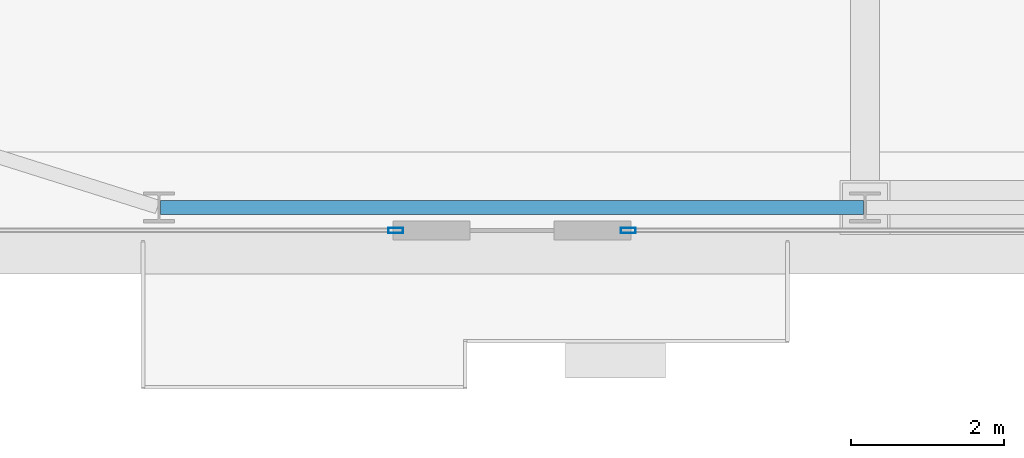
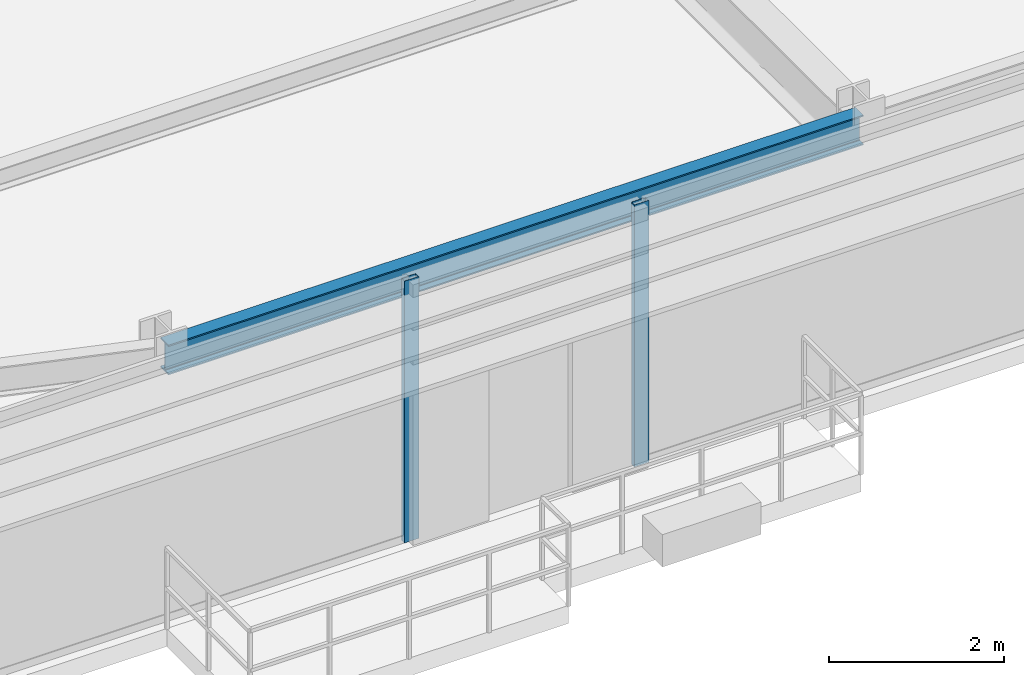
# One storey, part 5 of 35: 2 members, 1 beam, 2 elements without a shape of their own.
"""IFC4 building model written with IfcOpenShell, lengths in metres."""

from ifc_helpers import new_model, si_unit, direction, frame, origin, origin_2d, place, context, subcontext, project, spatial, hollow_rectangle, i_section, extrude, source, transform, mapped, material, layer, layer_set, material_profile, profile_set, type_object, type_shapes, element, aggregate, save


model = new_model("IFC4")

# Units and contexts
model_context = context("Model", 3, precision=1e-05, world=origin(), true_north=direction((0.0, 1.0)))
body_context = subcontext(model_context, "Body", "Model", "MODEL_VIEW")
ifc_project = project(units=[si_unit("LENGTHUNIT", "METRE"), si_unit("AREAUNIT", "SQUARE_METRE"), si_unit("VOLUMEUNIT", "CUBIC_METRE"), si_unit("PLANEANGLEUNIT", "RADIAN"), si_unit("MASSUNIT", "GRAM", prefix="KILO")], contexts=[model_context])

# Site, building, storey
site_placement = place(None, origin())
site = spatial("IfcSite", under=ifc_project, at=site_placement, CompositionType="ELEMENT")
building_placement = place(site_placement, origin())
building = spatial("IfcBuilding", under=site, at=building_placement, Name="Varnel Quay Broadcast Tower", CompositionType="ELEMENT")
storey_placement = place(building_placement, frame((0.0, 0.0, 66.60009765625)))
storey = spatial("IfcBuildingStorey", under=building, at=storey_placement, Name="L15", CompositionType="ELEMENT", Elevation=66.60009765625)

# Beam
ifc_material_1 = material(Name="Structural Steel CSA G40.21 350W", Category="steel")
ifc_material_profile_1 = material_profile(ifc_material_1, i_section(OverallWidth=0.180908203125, OverallDepth=0.4169921875, WebThickness=0.010986328125, FlangeThickness=0.018310546875, FilletRadius=0.011962890625, at=origin_2d()), Name="W410X85")
ifc_profile_set_1 = profile_set([ifc_material_profile_1], Name="Structural Steel CSA G40.21 350W")
beam_type = type_object("IfcBeamType", Name="Beam_W410X85", PredefinedType="SPANDREL", material=ifc_profile_set_1)
shared_shape_1 = source(origin(), body_context, "Body", "SweptSolid", [
    extrude(i_section(OverallWidth=0.180908203125, OverallDepth=0.4169921875, WebThickness=0.010986328125, FlangeThickness=0.018310546875, FilletRadius=0.011962890625, at=origin_2d()), origin(), (0.0, 0.0, 1.0), 9.159912109375),
])
type_shapes(beam_type, [shared_shape_1])
beam_placement = place(storey_placement, frame((15.6201171875, 1.64990234375, 3.44140625), z_axis=(1.0, 0.0, 0.0), x_axis=(0.0, 1.0, 0.0)))
element("IfcBeam", 1, at=beam_placement, inside=storey, type_object=beam_type, Name="L15 South Spandrel TC-S1-TC-S2", PredefinedType="SPANDREL", context=body_context, shape_type="MappedRepresentation", body=[
    mapped(shared_shape_1, transform((0.0, 0.0, 0.0), x_axis=(1.0, 0.0, 0.0), y_axis=(0.0, 1.0, 0.0), z_axis=(0.0, 0.0, 1.0), scale=1.0)),
])

# Curtain wall, member
ifc_material_2 = material(Name="Anodised Bronze Aluminium 6063-T6", Category="aluminium")
ifc_layer = layer(ifc_material_2, 0.18994140625, Name="Anodised Bronze Aluminium 6063-T6")
ifc_layer_set = layer_set([ifc_layer], Name="Anodised Bronze Aluminium 6063-T6")
curtain_wall_type = type_object("IfcCurtainWallType", Name="CW_LowerTower", PredefinedType="NOTDEFINED", material=ifc_layer_set)
curtain_wall_1_placement = place(storey_placement, origin())
curtain_wall_1 = element("IfcCurtainWall", 2, at=curtain_wall_1_placement, inside=storey, type_object=curtain_wall_type, Name="L15 South Unitised Curtain Wall 1", PredefinedType="NOTDEFINED")
ifc_material_profile_2 = material_profile(ifc_material_2, hollow_rectangle(XDim=0.070068359375, YDim=0.18994140625, WallThickness=0.00390625, at=origin_2d()), Name="ALU70X190X4")
ifc_profile_set_2 = profile_set([ifc_material_profile_2], Name="Anodised Bronze Aluminium 6063-T6")
member_type = type_object("IfcMemberType", Name="Mull_CWS-02", PredefinedType="MULLION", material=ifc_profile_set_2)
shared_shape_2 = source(origin(), body_context, "Body", "SweptSolid", [
    extrude(hollow_rectangle(XDim=0.070068359375, YDim=0.18994140625, WallThickness=0.00390625, at=origin_2d()), origin(), (0.0, 0.0, 1.0), 3.64990234375),
])
type_shapes(member_type, [shared_shape_2])
member_1_placement = place(storey_placement, frame((18.68505859375, 1.35009765625, 0.0), z_axis=(0.0, 0.0, 1.0), x_axis=(0.0, 1.0, 0.0)))
member_1 = element("IfcMember", 3, at=member_1_placement, type_object=member_type, Name="CWS-02 mullion 2", PredefinedType="MULLION", context=body_context, shape_type="MappedRepresentation", body=[
    mapped(shared_shape_2, transform((0.0, 0.0, 0.0), x_axis=(1.0, 0.0, 0.0), y_axis=(0.0, 1.0, 0.0), z_axis=(0.0, 0.0, 1.0), scale=1.0)),
])
aggregate(curtain_wall_1, [member_1])

curtain_wall_2_placement = place(storey_placement, origin())
curtain_wall_2 = element("IfcCurtainWall", 4, at=curtain_wall_2_placement, inside=storey, type_object=curtain_wall_type, Name="L15 South Unitised Curtain Wall 2", PredefinedType="NOTDEFINED")
member_2_placement = place(storey_placement, frame((21.715087890625, 1.35009765625, 0.0), z_axis=(0.0, 0.0, 1.0), x_axis=(0.0, 1.0, 0.0)))
member_2 = element("IfcMember", 5, at=member_2_placement, type_object=member_type, Name="CWS-02 mullion 1", PredefinedType="MULLION", context=body_context, shape_type="MappedRepresentation", body=[
    mapped(shared_shape_2, transform((0.0, 0.0, 0.0), x_axis=(1.0, 0.0, 0.0), y_axis=(0.0, 1.0, 0.0), z_axis=(0.0, 0.0, 1.0), scale=1.0)),
])
aggregate(curtain_wall_2, [member_2])

save(model, "model.ifc")
